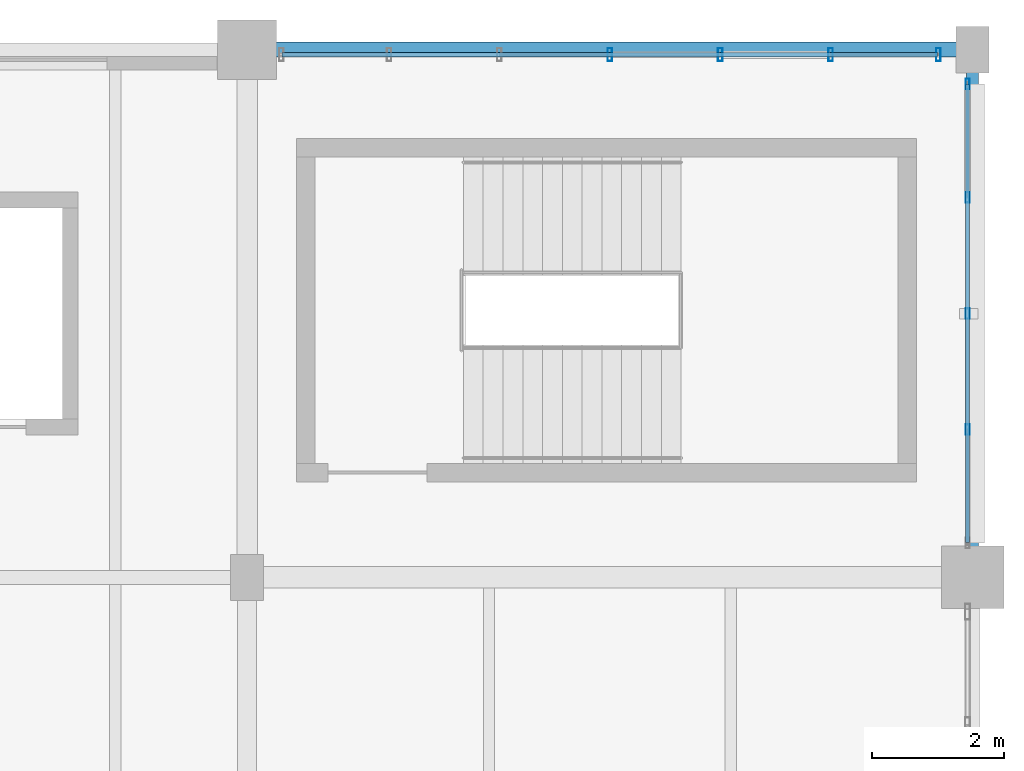
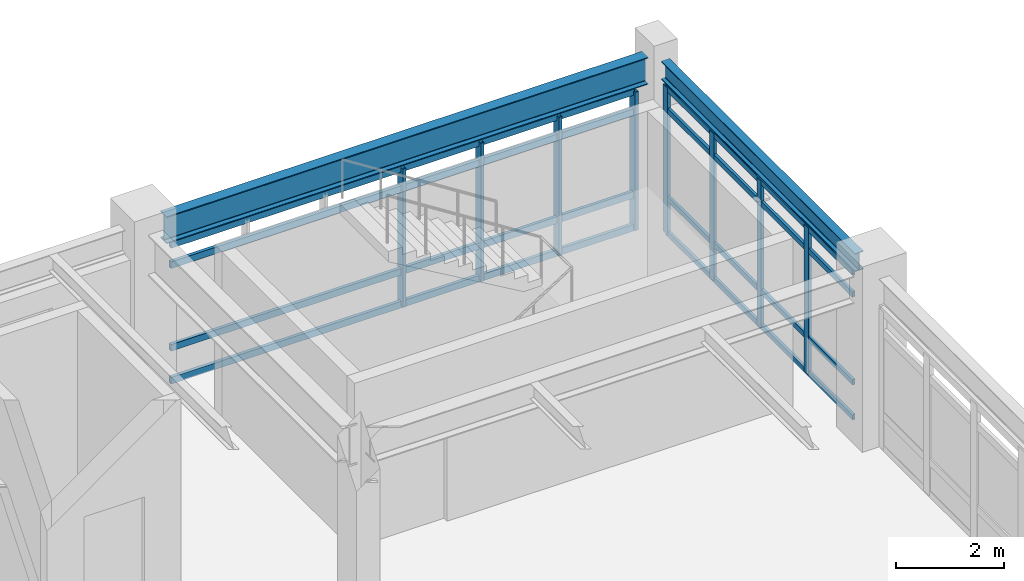
# One storey, part 41 of 56: 16 members, 2 beams, 2 elements without a shape of their own.
"""IFC4 building model written with IfcOpenShell, lengths in metres."""

from ifc_helpers import new_model, si_unit, direction, frame, origin, origin_2d, place, context, subcontext, project, spatial, hollow_rectangle, i_section, extrude, material, material_profile, profile_set, type_object, element, aggregate, save


model = new_model("IFC4")

# Units and contexts
model_context = context("Model", 3, precision=1e-05, world=origin(), true_north=direction((0.0, 1.0)))
body_context = subcontext(model_context, "Body", "Model", "MODEL_VIEW")
ifc_project = project(units=[si_unit("LENGTHUNIT", "METRE"), si_unit("AREAUNIT", "SQUARE_METRE"), si_unit("VOLUMEUNIT", "CUBIC_METRE"), si_unit("PLANEANGLEUNIT", "RADIAN"), si_unit("MASSUNIT", "GRAM", prefix="KILO"), si_unit("THERMODYNAMICTEMPERATUREUNIT", "KELVIN"), si_unit("POWERUNIT", "WATT")], contexts=[model_context])

# Site, building, storey
site_placement = place(None, origin())
site = spatial("IfcSite", under=ifc_project, at=site_placement, CompositionType="ELEMENT")
building_placement = place(site_placement, origin())
building = spatial("IfcBuilding", under=site, at=building_placement, Name="Tepalcoro Natatorium and Aquatics Centre", CompositionType="ELEMENT")
storey_placement = place(building_placement, frame((0.0, 0.0, 14.800048828125)))
storey = spatial("IfcBuildingStorey", under=building, at=storey_placement, Name="L03", CompositionType="ELEMENT", Elevation=14.800048828125)

# Curtain wall, members
ifc_material_1 = material(Name="Bronze-Anodised Extruded Aluminium Alloy EN AW-6063 T6", Category="aluminium")
curtain_wall_type_1 = type_object("IfcCurtainWallType", Name="CW_LEAN_T2_EW", PredefinedType="USERDEFINED", material=ifc_material_1)
curtain_wall_1_placement = place(storey_placement, origin())
curtain_wall_1 = element("IfcCurtainWall", 1, at=curtain_wall_1_placement, inside=storey, type_object=curtain_wall_type_1, Name="V5 L03 E Unitised Curtain Wall Bay 3", ObjectType="FACETED SOLAR GLAZING", PredefinedType="USERDEFINED")
ifc_material_profile_1 = material_profile(ifc_material_1, hollow_rectangle(XDim=0.06005859375, YDim=0.159912109375, WallThickness=0.00390625, at=origin_2d()), Name="AL60X160X4")
ifc_profile_set_1 = profile_set([ifc_material_profile_1], Name="Bronze-Anodised Extruded Aluminium Alloy EN AW-6063 T6")
member_type_1 = type_object("IfcMemberType", Name="CW_MUL_60x160", PredefinedType="MULLION", material=ifc_profile_set_1)
member_1_placement = place(storey_placement, frame((175.923828125, 112.239990234375, 0.02001953125), z_axis=(0.0, 0.0, 1.0), x_axis=(1.0, 0.0, 0.0)))
member_1 = element("IfcMember", 2, at=member_1_placement, type_object=member_type_1, Name="CW_LEAN_T2_EW Curtain Wall Mullion", PredefinedType="MULLION", context=body_context, shape_type="SweptSolid", body=[
    extrude(hollow_rectangle(XDim=0.06005859375, YDim=0.159912109375, WallThickness=0.00390625, at=origin_2d()), origin(), (0.0, 0.0, 1.0), 3.3369140625),
])
member_2_placement = place(storey_placement, frame((175.923828125, 114.0, 0.02001953125), z_axis=(0.0, 0.0, 1.0), x_axis=(1.0, 0.0, 0.0)))
member_2 = element("IfcMember", 3, at=member_2_placement, type_object=member_type_1, Name="CW_LEAN_T2_EW Curtain Wall Mullion", PredefinedType="MULLION", context=body_context, shape_type="SweptSolid", body=[
    extrude(hollow_rectangle(XDim=0.06005859375, YDim=0.159912109375, WallThickness=0.00390625, at=origin_2d()), origin(), (0.0, 0.0, 1.0), 3.3369140625),
])
member_3_placement = place(storey_placement, frame((175.923828125, 115.760009765625, 0.02001953125), z_axis=(0.0, 0.0, 1.0), x_axis=(1.0, 0.0, 0.0)))
member_3 = element("IfcMember", 4, at=member_3_placement, type_object=member_type_1, Name="CW_LEAN_T2_EW Curtain Wall Mullion", PredefinedType="MULLION", context=body_context, shape_type="SweptSolid", body=[
    extrude(hollow_rectangle(XDim=0.06005859375, YDim=0.159912109375, WallThickness=0.00390625, at=origin_2d()), origin(), (0.0, 0.0, 1.0), 3.3369140625),
])
member_4_placement = place(storey_placement, frame((175.923828125, 117.47998046875, 0.02001953125), z_axis=(0.0, 0.0, 1.0), x_axis=(1.0, 0.0, 0.0)))
member_4 = element("IfcMember", 5, at=member_4_placement, type_object=member_type_1, Name="CW_LEAN_T2_EW Curtain Wall Mullion", PredefinedType="MULLION", context=body_context, shape_type="SweptSolid", body=[
    extrude(hollow_rectangle(XDim=0.06005859375, YDim=0.159912109375, WallThickness=0.00390625, at=origin_2d()), origin(), (0.0, 0.0, 1.0), 3.3369140625),
])

curtain_wall_type_2 = type_object("IfcCurtainWallType", Name="CW_V4_VILLAGE", PredefinedType="USERDEFINED", material=ifc_material_1)
curtain_wall_2_placement = place(storey_placement, origin())
curtain_wall_2 = element("IfcCurtainWall", 6, at=curtain_wall_2_placement, inside=storey, type_object=curtain_wall_type_2, Name="V5 L03 N Unitised Curtain Wall Bay 8", ObjectType="UNITISED STOREFRONT", PredefinedType="USERDEFINED")
ifc_material_profile_2 = material_profile(ifc_material_1, hollow_rectangle(XDim=0.070068359375, YDim=0.199951171875, WallThickness=0.0048828125, at=origin_2d()), Name="AL70X200X5")
ifc_profile_set_2 = profile_set([ifc_material_profile_2], Name="Bronze-Anodised Extruded Aluminium Alloy EN AW-6063 T6")
member_type_2 = type_object("IfcMemberType", Name="CW_MUL_70x200", PredefinedType="MULLION", material=ifc_profile_set_2)
member_5_placement = place(storey_placement, frame((170.5, 117.923828125, 0.02001953125), z_axis=(0.0, 0.0, 1.0), x_axis=(1.0, 0.0, 0.0)))
member_5 = element("IfcMember", 7, at=member_5_placement, type_object=member_type_2, Name="CW_V4_VILLAGE Curtain Wall Mullion", PredefinedType="MULLION", context=body_context, shape_type="SweptSolid", body=[
    extrude(hollow_rectangle(XDim=0.070068359375, YDim=0.199951171875, WallThickness=0.0048828125, at=origin_2d()), origin(), (0.0, 0.0, 1.0), 3.137939453125),
])
member_6_placement = place(storey_placement, frame((172.17333984375, 117.923828125, 0.02001953125), z_axis=(0.0, 0.0, 1.0), x_axis=(1.0, 0.0, 0.0)))
member_6 = element("IfcMember", 8, at=member_6_placement, type_object=member_type_2, Name="CW_V4_VILLAGE Curtain Wall Mullion", PredefinedType="MULLION", context=body_context, shape_type="SweptSolid", body=[
    extrude(hollow_rectangle(XDim=0.070068359375, YDim=0.199951171875, WallThickness=0.0048828125, at=origin_2d()), origin(), (0.0, 0.0, 1.0), 3.137939453125),
])
member_7_placement = place(storey_placement, frame((173.8466796875, 117.923828125, 0.02001953125), z_axis=(0.0, 0.0, 1.0), x_axis=(1.0, 0.0, 0.0)))
member_7 = element("IfcMember", 9, at=member_7_placement, type_object=member_type_2, Name="CW_V4_VILLAGE Curtain Wall Mullion", PredefinedType="MULLION", context=body_context, shape_type="SweptSolid", body=[
    extrude(hollow_rectangle(XDim=0.070068359375, YDim=0.199951171875, WallThickness=0.0048828125, at=origin_2d()), origin(), (0.0, 0.0, 1.0), 3.137939453125),
])
member_8_placement = place(storey_placement, frame((175.47998046875, 117.923828125, 0.02001953125), z_axis=(0.0, 0.0, 1.0), x_axis=(1.0, 0.0, 0.0)))
member_8 = element("IfcMember", 10, at=member_8_placement, type_object=member_type_2, Name="CW_V4_VILLAGE Curtain Wall Mullion", PredefinedType="MULLION", context=body_context, shape_type="SweptSolid", body=[
    extrude(hollow_rectangle(XDim=0.070068359375, YDim=0.199951171875, WallThickness=0.0048828125, at=origin_2d()), origin(), (0.0, 0.0, 1.0), 3.137939453125),
])

# Member
ifc_material_profile_3 = material_profile(ifc_material_1, hollow_rectangle(XDim=0.06005859375, YDim=0.1201171875, WallThickness=0.00390625, at=origin_2d()), Name="AL60X120X4")
ifc_profile_set_3 = profile_set([ifc_material_profile_3], Name="Bronze-Anodised Extruded Aluminium Alloy EN AW-6063 T6")
member_type_3 = type_object("IfcMemberType", Name="CW_TRN_60x120", PredefinedType="USERDEFINED", material=ifc_profile_set_3)
member_9_placement = place(storey_placement, frame((175.923828125, 110.530029296875, 0.050048828125), z_axis=(0.0, 1.0, 0.0), x_axis=(-1.0, 0.0, 0.0)))
member_9 = element("IfcMember", 11, at=member_9_placement, type_object=member_type_3, Name="CW_LEAN_T2_EW Curtain Wall Transom", ObjectType="TRANSOM", PredefinedType="USERDEFINED", context=body_context, shape_type="SweptSolid", body=[
    extrude(hollow_rectangle(XDim=0.06005859375, YDim=0.1201171875, WallThickness=0.00390625, at=origin_2d()), origin(), (0.0, 0.0, 1.0), 6.93994140625),
])

member_10_placement = place(storey_placement, frame((175.923828125, 110.530029296875, 0.84423828125), z_axis=(0.0, 1.0, 0.0), x_axis=(-1.0, 0.0, 0.0)))
member_10 = element("IfcMember", 12, at=member_10_placement, type_object=member_type_3, Name="CW_LEAN_T2_EW Curtain Wall Transom", ObjectType="TRANSOM", PredefinedType="USERDEFINED", context=body_context, shape_type="SweptSolid", body=[
    extrude(hollow_rectangle(XDim=0.06005859375, YDim=0.1201171875, WallThickness=0.00390625, at=origin_2d()), origin(), (0.0, 0.0, 1.0), 6.93994140625),
])

member_11_placement = place(storey_placement, frame((175.923828125, 110.530029296875, 2.836669921875), z_axis=(0.0, 1.0, 0.0), x_axis=(-1.0, 0.0, 0.0)))
member_11 = element("IfcMember", 13, at=member_11_placement, type_object=member_type_3, Name="CW_LEAN_T2_EW Curtain Wall Transom", ObjectType="TRANSOM", PredefinedType="USERDEFINED", context=body_context, shape_type="SweptSolid", body=[
    extrude(hollow_rectangle(XDim=0.06005859375, YDim=0.1201171875, WallThickness=0.00390625, at=origin_2d()), origin(), (0.0, 0.0, 1.0), 6.93994140625),
])

member_12_placement = place(storey_placement, frame((175.923828125, 110.530029296875, 3.326904296875), z_axis=(0.0, 1.0, 0.0), x_axis=(-1.0, 0.0, 0.0)))
member_12 = element("IfcMember", 14, at=member_12_placement, type_object=member_type_3, Name="CW_LEAN_T2_EW Curtain Wall Transom", ObjectType="TRANSOM", PredefinedType="USERDEFINED", context=body_context, shape_type="SweptSolid", body=[
    extrude(hollow_rectangle(XDim=0.06005859375, YDim=0.1201171875, WallThickness=0.00390625, at=origin_2d()), origin(), (0.0, 0.0, 1.0), 6.93994140625),
])

aggregate(curtain_wall_1, [member_1, member_2, member_3, member_4, member_9, member_10, member_11, member_12])

ifc_material_profile_4 = material_profile(ifc_material_1, hollow_rectangle(XDim=0.070068359375, YDim=0.14990234375, WallThickness=0.00390625, at=origin_2d()), Name="AL70X150X4")
ifc_profile_set_4 = profile_set([ifc_material_profile_4], Name="Bronze-Anodised Extruded Aluminium Alloy EN AW-6063 T6")
member_type_4 = type_object("IfcMemberType", Name="CW_TRN_70x150", PredefinedType="USERDEFINED", material=ifc_profile_set_4)
member_13_placement = place(storey_placement, frame((165.530029296875, 117.923828125, 0.050048828125), z_axis=(1.0, 0.0, 0.0), x_axis=(0.0, 1.0, 0.0)))
member_13 = element("IfcMember", 15, at=member_13_placement, type_object=member_type_4, Name="CW_V4_VILLAGE Curtain Wall Transom", ObjectType="TRANSOM", PredefinedType="USERDEFINED", context=body_context, shape_type="SweptSolid", body=[
    extrude(hollow_rectangle(XDim=0.070068359375, YDim=0.14990234375, WallThickness=0.00390625, at=origin_2d()), origin(), (0.0, 0.0, 1.0), 9.93994140625),
])

member_14_placement = place(storey_placement, frame((165.530029296875, 117.923828125, 0.79443359375), z_axis=(1.0, 0.0, 0.0), x_axis=(0.0, 1.0, 0.0)))
member_14 = element("IfcMember", 16, at=member_14_placement, type_object=member_type_4, Name="CW_V4_VILLAGE Curtain Wall Transom", ObjectType="TRANSOM", PredefinedType="USERDEFINED", context=body_context, shape_type="SweptSolid", body=[
    extrude(hollow_rectangle(XDim=0.070068359375, YDim=0.14990234375, WallThickness=0.00390625, at=origin_2d()), origin(), (0.0, 0.0, 1.0), 9.93994140625),
])

member_15_placement = place(storey_placement, frame((165.530029296875, 117.923828125, 2.66943359375), z_axis=(1.0, 0.0, 0.0), x_axis=(0.0, 1.0, 0.0)))
member_15 = element("IfcMember", 17, at=member_15_placement, type_object=member_type_4, Name="CW_V4_VILLAGE Curtain Wall Transom", ObjectType="TRANSOM", PredefinedType="USERDEFINED", context=body_context, shape_type="SweptSolid", body=[
    extrude(hollow_rectangle(XDim=0.070068359375, YDim=0.14990234375, WallThickness=0.00390625, at=origin_2d()), origin(), (0.0, 0.0, 1.0), 9.93994140625),
])

member_16_placement = place(storey_placement, frame((165.530029296875, 117.923828125, 3.1279296875), z_axis=(1.0, 0.0, 0.0), x_axis=(0.0, 1.0, 0.0)))
member_16 = element("IfcMember", 18, at=member_16_placement, type_object=member_type_4, Name="CW_V4_VILLAGE Curtain Wall Transom", ObjectType="TRANSOM", PredefinedType="USERDEFINED", context=body_context, shape_type="SweptSolid", body=[
    extrude(hollow_rectangle(XDim=0.070068359375, YDim=0.14990234375, WallThickness=0.00390625, at=origin_2d()), origin(), (0.0, 0.0, 1.0), 9.93994140625),
])

aggregate(curtain_wall_2, [member_5, member_6, member_7, member_8, member_13, member_14, member_15, member_16])

# Beams
ifc_material_2 = material(Name="Steel ASTM A992 Grade 50 (Fy 345 MPa)", Category="steel")
ifc_material_profile_5 = material_profile(ifc_material_2, i_section(OverallWidth=0.179931640625, OverallDepth=0.4130859375, WebThickness=0.010009765625, FlangeThickness=0.01611328125, FilletRadius=0.013916015625, at=origin_2d()), Name="W16X50")
ifc_profile_set_5 = profile_set([ifc_material_profile_5], Name="Steel ASTM A992 Grade 50 (Fy 345 MPa)")
beam_type_1 = type_object("IfcBeamType", Name="SP_HSS300x200x12", PredefinedType="SPANDREL", material=ifc_profile_set_5)
beam_1_placement = place(storey_placement, frame((176.0, 110.4599609375, 3.598388671875), z_axis=(0.0, 1.0, 0.0), x_axis=(-1.0, 0.0, 0.0)))
element("IfcBeam", 19, at=beam_1_placement, inside=storey, type_object=beam_type_1, Name="V5 L03 Grid Girder Y", PredefinedType="SPANDREL", context=body_context, shape_type="SweptSolid", body=[
    extrude(i_section(OverallWidth=0.179931640625, OverallDepth=0.4130859375, WebThickness=0.010009765625, FlangeThickness=0.01611328125, FilletRadius=0.013916015625, at=origin_2d()), origin(), (0.0, 0.0, 1.0), 7.205078125),
])
ifc_material_profile_6 = material_profile(ifc_material_2, i_section(OverallWidth=0.22900390625, OverallDepth=0.612060546875, WebThickness=0.011962890625, FlangeThickness=0.02001953125, FilletRadius=0.013916015625, at=origin_2d()), Name="W24X84")
ifc_profile_set_6 = profile_set([ifc_material_profile_6], Name="Steel ASTM A992 Grade 50 (Fy 345 MPa)")
beam_type_2 = type_object("IfcBeamType", Name="SP_W24x84", PredefinedType="SPANDREL", material=ifc_profile_set_6)
beam_2_placement = place(storey_placement, frame((165.43505859375, 118.0, 3.4990234375), z_axis=(1.0, 0.0, 0.0), x_axis=(0.0, 1.0, 0.0)))
element("IfcBeam", 20, at=beam_2_placement, inside=storey, type_object=beam_type_2, Name="V5 L03 Grid Girder X", PredefinedType="SPANDREL", context=body_context, shape_type="SweptSolid", body=[
    extrude(i_section(OverallWidth=0.22900390625, OverallDepth=0.612060546875, WebThickness=0.011962890625, FlangeThickness=0.02001953125, FilletRadius=0.013916015625, at=origin_2d()), origin(), (0.0, 0.0, 1.0), 10.329833984375),
])

save(model, "model.ifc")
